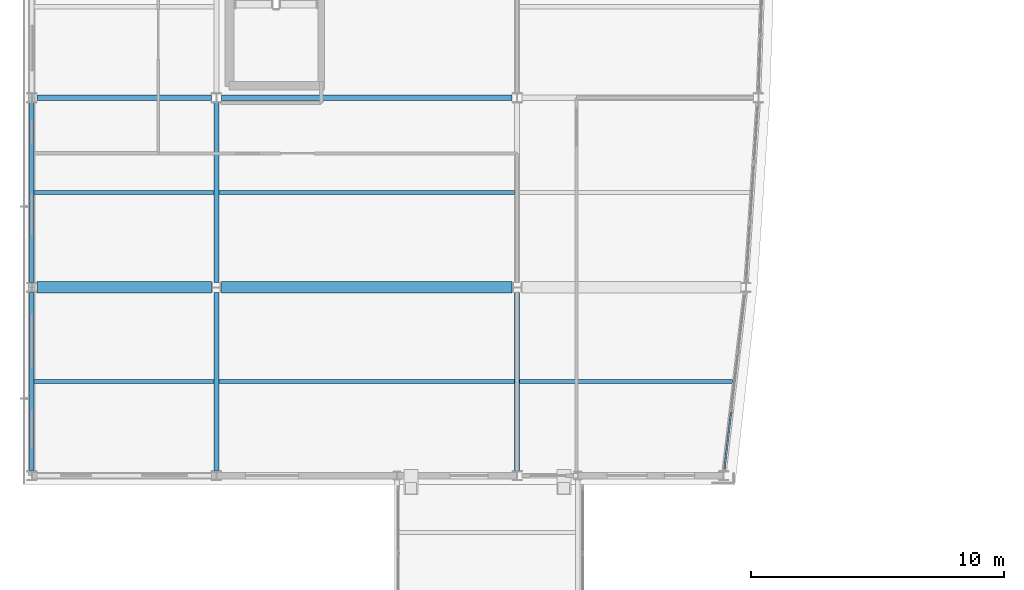
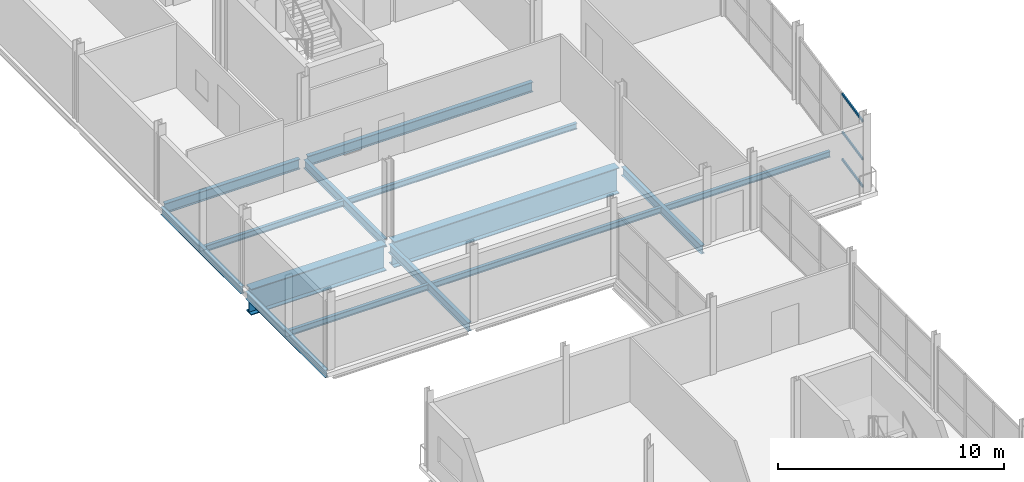
# One storey, part 22 of 60: 14 beams, 3 members, 1 element without a shape of its own.
"""IFC4 building model written with IfcOpenShell, lengths in metres."""

from ifc_helpers import new_model, si_unit, direction, frame, origin, origin_2d, place, context, subcontext, project, spatial, hollow_rectangle, i_section, extrude, material, layer, layer_set, material_profile, profile_set, type_object, element, aggregate, save


model = new_model("IFC4")

# Units and contexts
model_context = context("Model", 3, precision=1e-05, world=origin(), true_north=direction((0.0, 1.0)))
body_context = subcontext(model_context, "Body", "Model", "MODEL_VIEW")
ifc_project = project(units=[si_unit("LENGTHUNIT", "METRE"), si_unit("AREAUNIT", "SQUARE_METRE"), si_unit("VOLUMEUNIT", "CUBIC_METRE"), si_unit("PLANEANGLEUNIT", "RADIAN"), si_unit("MASSUNIT", "GRAM", prefix="KILO")], contexts=[model_context])

# Site, building, storey
site_placement = place(None, origin())
site = spatial("IfcSite", under=ifc_project, at=site_placement, CompositionType="ELEMENT")
building_placement = place(site_placement, origin())
building = spatial("IfcBuilding", under=site, at=building_placement, Name="Quillay Park Conservatory", CompositionType="ELEMENT")
storey_placement = place(building_placement, frame((0.0, 0.0, 9.89990234375)))
storey = spatial("IfcBuildingStorey", under=building, at=storey_placement, Name="L02", CompositionType="ELEMENT", Elevation=9.89990234375)

# Beams
ifc_material_1 = material(Name="Steel ASTM A992 Grade 50", Category="steel")
ifc_material_profile_1 = material_profile(ifc_material_1, i_section(OverallWidth=0.166015625, OverallDepth=0.31298828125, WebThickness=0.006591796875, FlangeThickness=0.01123046875, FilletRadius=0.010009765625, at=origin_2d()), Name="W310x45")
ifc_profile_set_1 = profile_set([ifc_material_profile_1], Name="Steel ASTM A992 Grade 50")
beam_type_1 = type_object("IfcBeamType", Name="COMPOSITE FLOOR JOIST W310 X45", PredefinedType="JOIST", material=ifc_profile_set_1)
beam_1_placement = place(storey_placement, frame((0.639892578125, 66.77490234375, -0.386474609375), z_axis=(1.0, 0.0, 0.0), x_axis=(0.0, 1.0, 0.0)))
element("IfcBeam", 1, at=beam_1_placement, inside=storey, type_object=beam_type_1, Name="L02 beam BM-J-0202", PredefinedType="JOIST", context=body_context, shape_type="SweptSolid", body=[
    extrude(i_section(OverallWidth=0.166015625, OverallDepth=0.31298828125, WebThickness=0.006591796875, FlangeThickness=0.01123046875, FilletRadius=0.010009765625, at=origin_2d()), origin(), (0.0, 0.0, 1.0), 7.114013671875),
])
beam_2_placement = place(storey_placement, frame((19.845947265625, 66.77490234375, -0.386474609375), z_axis=(1.0, 0.0, 0.0), x_axis=(0.0, 1.0, 0.0)))
element("IfcBeam", 2, at=beam_2_placement, inside=storey, type_object=beam_type_1, Name="L02 beam BM-J-0203", PredefinedType="JOIST", context=body_context, shape_type="SweptSolid", body=[
    extrude(i_section(OverallWidth=0.166015625, OverallDepth=0.31298828125, WebThickness=0.006591796875, FlangeThickness=0.01123046875, FilletRadius=0.010009765625, at=origin_2d()), origin(), (0.0, 0.0, 1.0), 8.426513671875),
])
beam_3_placement = place(storey_placement, frame((7.946044921875, 66.77490234375, -0.386474609375), z_axis=(1.0, 0.0, 0.0), x_axis=(0.0, 1.0, 0.0)))
element("IfcBeam", 3, at=beam_3_placement, inside=storey, type_object=beam_type_1, Name="L02 beam BM-J-0204", PredefinedType="JOIST", context=body_context, shape_type="SweptSolid", body=[
    extrude(i_section(OverallWidth=0.166015625, OverallDepth=0.31298828125, WebThickness=0.006591796875, FlangeThickness=0.01123046875, FilletRadius=0.010009765625, at=origin_2d()), origin(), (0.0, 0.0, 1.0), 11.7080078125),
])
beam_4_placement = place(storey_placement, frame((0.639892578125, 74.25, -0.386474609375), z_axis=(1.0, 0.0, 0.0), x_axis=(0.0, 1.0, 0.0)))
element("IfcBeam", 4, at=beam_4_placement, inside=storey, type_object=beam_type_1, Name="L02 beam BM-J-0209", PredefinedType="JOIST", context=body_context, shape_type="SweptSolid", body=[
    extrude(i_section(OverallWidth=0.166015625, OverallDepth=0.31298828125, WebThickness=0.006591796875, FlangeThickness=0.01123046875, FilletRadius=0.010009765625, at=origin_2d()), origin(), (0.0, 0.0, 1.0), 7.114013671875),
])
beam_5_placement = place(storey_placement, frame((7.946044921875, 74.25, -0.386474609375), z_axis=(1.0, 0.0, 0.0), x_axis=(0.0, 1.0, 0.0)))
element("IfcBeam", 5, at=beam_5_placement, inside=storey, type_object=beam_type_1, Name="L02 beam BM-J-0211", PredefinedType="JOIST", context=body_context, shape_type="SweptSolid", body=[
    extrude(i_section(OverallWidth=0.166015625, OverallDepth=0.31298828125, WebThickness=0.006591796875, FlangeThickness=0.01123046875, FilletRadius=0.010009765625, at=origin_2d()), origin(), (0.0, 0.0, 1.0), 11.7080078125),
])

# Curtain wall, members
ifc_material_2 = material(Name="Thermally Broken Anodised Aluminium 6063-T6", Category="aluminium")
ifc_layer = layer(ifc_material_2, 0.179931640625)
ifc_layer_set = layer_set([ifc_layer], Name="UNITISED CURTAIN WALL TOWER (Thermally Broken Anodised Aluminium 6063-T6)")
curtain_wall_type = type_object("IfcCurtainWallType", Name="UNITISED CURTAIN WALL TOWER", PredefinedType="USERDEFINED", material=ifc_layer_set)
curtain_wall_placement = place(storey_placement, origin())
curtain_wall = element("IfcCurtainWall", 6, at=curtain_wall_placement, inside=storey, type_object=curtain_wall_type, Name="L02 Unitised Curtain Wall 019", ObjectType="UNITISED CURTAIN WALL", PredefinedType="USERDEFINED")
ifc_material_3 = material(Name="Thermally Broken Anodised Aluminium 6063-T6", Category="aluminium")
ifc_material_profile_2 = material_profile(ifc_material_3, hollow_rectangle(XDim=0.070068359375, YDim=0.1298828125, WallThickness=0.003173828125, at=origin_2d()), Name="AL70x130x3.2")
ifc_profile_set_2 = profile_set([ifc_material_profile_2], Name="Thermally Broken Anodised Aluminium 6063-T6")
member_type = type_object("IfcMemberType", Name="CURTAIN WALL TRANSOM 70 X130", PredefinedType="USERDEFINED", material=ifc_profile_set_2)
member_1_placement = place(storey_placement, frame((28.220458984375, 65.564697265625, 0.03515625), z_axis=(-0.116672168054, -0.993170481439, 0.0), x_axis=(0.993170481439, -0.116672168054, 0.0)))
member_1 = element("IfcMember", 7, at=member_1_placement, type_object=member_type, Name="CW-T1 transom 3.1", ObjectType="TRANSOM", PredefinedType="USERDEFINED", context=body_context, shape_type="SweptSolid", body=[
    extrude(hollow_rectangle(XDim=0.070068359375, YDim=0.1298828125, WallThickness=0.003173828125, at=origin_2d()), origin(), (0.0, 0.0, 1.0), 2.261962890625),
])
member_2_placement = place(storey_placement, frame((28.220458984375, 65.564697265625, 1.51171875), z_axis=(-0.116672168054, -0.993170481439, 0.0), x_axis=(0.993170481439, -0.116672168054, 0.0)))
member_2 = element("IfcMember", 8, at=member_2_placement, type_object=member_type, Name="CW-T1 transom 3.2", ObjectType="TRANSOM", PredefinedType="USERDEFINED", context=body_context, shape_type="SweptSolid", body=[
    extrude(hollow_rectangle(XDim=0.070068359375, YDim=0.1298828125, WallThickness=0.003173828125, at=origin_2d()), origin(), (0.0, 0.0, 1.0), 2.261962890625),
])
member_3_placement = place(storey_placement, frame((28.220458984375, 65.564697265625, 3.564208984375), z_axis=(-0.116672168054, -0.993170481439, 0.0), x_axis=(0.993170481439, -0.116672168054, 0.0)))
member_3 = element("IfcMember", 9, at=member_3_placement, type_object=member_type, Name="CW-T1 transom 3.3", ObjectType="TRANSOM", PredefinedType="USERDEFINED", context=body_context, shape_type="SweptSolid", body=[
    extrude(hollow_rectangle(XDim=0.070068359375, YDim=0.1298828125, WallThickness=0.003173828125, at=origin_2d()), origin(), (0.0, 0.0, 1.0), 2.261962890625),
])
aggregate(curtain_wall, [member_1, member_2, member_3])

# Beams
ifc_material_4 = material(Name="Steel ASTM A992 Grade 50", Category="steel")
ifc_material_profile_3 = material_profile(ifc_material_4, i_section(OverallWidth=0.179931640625, OverallDepth=0.4130859375, WebThickness=0.009765625, FlangeThickness=0.01611328125, FilletRadius=0.011962890625, at=origin_2d()), Name="W410x74")
ifc_profile_set_3 = profile_set([ifc_material_profile_3], Name="Steel ASTM A992 Grade 50")
beam_type_2 = type_object("IfcBeamType", Name="PERIMETER SPANDREL BEAM W410 X74", PredefinedType="SPANDREL", material=ifc_profile_set_3)
beam_6_placement = place(storey_placement, frame((0.550048828125, 63.24658203125, -0.4365234375), z_axis=(0.0, 1.0, 0.0), x_axis=(-1.0, 0.0, 0.0)))
element("IfcBeam", 10, at=beam_6_placement, inside=storey, type_object=beam_type_2, Name="L02 beam BM-SPW-0198", PredefinedType="SPANDREL", context=body_context, shape_type="SweptSolid", body=[
    extrude(i_section(OverallWidth=0.179931640625, OverallDepth=0.4130859375, WebThickness=0.009765625, FlangeThickness=0.01611328125, FilletRadius=0.011962890625, at=origin_2d()), origin(), (0.0, 0.0, 1.0), 7.056884765625),
])
beam_7_placement = place(storey_placement, frame((0.550048828125, 70.696533203125, -0.4365234375), z_axis=(0.0, 1.0, 0.0), x_axis=(-1.0, 0.0, 0.0)))
element("IfcBeam", 11, at=beam_7_placement, inside=storey, type_object=beam_type_2, Name="L02 beam BM-SPW-0205", PredefinedType="SPANDREL", context=body_context, shape_type="SweptSolid", body=[
    extrude(i_section(OverallWidth=0.179931640625, OverallDepth=0.4130859375, WebThickness=0.009765625, FlangeThickness=0.01611328125, FilletRadius=0.011962890625, at=origin_2d()), origin(), (0.0, 0.0, 1.0), 7.10693359375),
])
ifc_material_5 = material(Name="Steel ASTM A992 Grade 50", Category="steel")
ifc_material_profile_4 = material_profile(ifc_material_5, i_section(OverallWidth=0.19189453125, OverallDepth=0.462890625, WebThickness=0.010498046875, FlangeThickness=0.017578125, FilletRadius=0.012939453125, at=origin_2d()), Name="W460x89")
ifc_profile_set_4 = profile_set([ifc_material_profile_4], Name="Steel ASTM A992 Grade 50")
beam_type_3 = type_object("IfcBeamType", Name="PRIMARY FLOOR GIRDER W460 X89", PredefinedType="BEAM", material=ifc_profile_set_4)
for number, where, z_axis, x_axis, name in (
    (12, (7.85009765625, 63.24658203125, -0.46142578125), (0.0, 1.0, 0.0), (-1.0, 0.0, 0.0), "L02 beam BM-GNS-0200"),
    (13, (19.75, 63.24658203125, -0.46142578125), (0.0, 1.0, 0.0), (-1.0, 0.0, 0.0), "L02 beam BM-GNS-0201"),
):
    element("IfcBeam", number, at=place(storey_placement, frame(where, z_axis=z_axis, x_axis=x_axis)), inside=storey, type_object=beam_type_3, Name=name, PredefinedType="BEAM", context=body_context, shape_type="SweptSolid", body=[
        extrude(i_section(OverallWidth=0.19189453125, OverallDepth=0.462890625, WebThickness=0.010498046875, FlangeThickness=0.017578125, FilletRadius=0.012939453125, at=origin_2d()), origin(), (0.0, 0.0, 1.0), 7.053955078125),
    ])
beam_8_placement = place(storey_placement, frame((7.85009765625, 70.699462890625, -0.46142578125), z_axis=(0.0, 1.0, 0.0), x_axis=(-1.0, 0.0, 0.0)))
element("IfcBeam", 14, at=beam_8_placement, inside=storey, type_object=beam_type_3, Name="L02 beam BM-GNS-0207", PredefinedType="BEAM", context=body_context, shape_type="SweptSolid", body=[
    extrude(i_section(OverallWidth=0.19189453125, OverallDepth=0.462890625, WebThickness=0.010498046875, FlangeThickness=0.017578125, FilletRadius=0.012939453125, at=origin_2d()), origin(), (0.0, 0.0, 1.0), 7.10400390625),
])
ifc_material_6 = material(Name="Steel ASTM A992 Grade 50", Category="steel")
ifc_material_profile_5 = material_profile(ifc_material_6, i_section(OverallWidth=0.2109375, OverallDepth=0.5390625, WebThickness=0.01171875, FlangeThickness=0.018798828125, FilletRadius=0.013916015625, at=origin_2d()), Name="W530x109")
ifc_profile_set_5 = profile_set([ifc_material_profile_5], Name="Steel ASTM A992 Grade 50")
beam_type_4 = type_object("IfcBeamType", Name="PRIMARY FLOOR GIRDER W530 X109", PredefinedType="BEAM", material=ifc_profile_set_5)
beam_9_placement = place(storey_placement, frame((0.74951171875, 78.0, -0.49951171875), z_axis=(1.0, 0.0, 0.0), x_axis=(0.0, 1.0, 0.0)))
element("IfcBeam", 15, at=beam_9_placement, inside=storey, type_object=beam_type_4, Name="L02 beam BM-G-0182", PredefinedType="BEAM", context=body_context, shape_type="SweptSolid", body=[
    extrude(i_section(OverallWidth=0.2109375, OverallDepth=0.5390625, WebThickness=0.01171875, FlangeThickness=0.018798828125, FilletRadius=0.013916015625, at=origin_2d()), origin(), (0.0, 0.0, 1.0), 6.90087890625),
])
beam_10_placement = place(storey_placement, frame((8.049560546875, 78.0, -0.49951171875), z_axis=(1.0, 0.0, 0.0), x_axis=(0.0, 1.0, 0.0)))
element("IfcBeam", 16, at=beam_10_placement, inside=storey, type_object=beam_type_4, Name="L02 beam BM-G-0183", PredefinedType="BEAM", context=body_context, shape_type="SweptSolid", body=[
    extrude(i_section(OverallWidth=0.2109375, OverallDepth=0.5390625, WebThickness=0.01171875, FlangeThickness=0.018798828125, FilletRadius=0.013916015625, at=origin_2d()), origin(), (0.0, 0.0, 1.0), 11.5009765625),
])
ifc_material_7 = material(Name="Steel ASTM A572 Grade 50", Category="steel")
ifc_material_profile_6 = material_profile(ifc_material_7, i_section(OverallWidth=0.449951171875, OverallDepth=1.39990234375, WebThickness=0.02392578125, FlangeThickness=0.0439453125, at=origin_2d()), Name="IG1400x450")
ifc_profile_set_6 = profile_set([ifc_material_profile_6], Name="Steel ASTM A572 Grade 50")
beam_type_5 = type_object("IfcBeamType", Name="TRANSFER PLATE GIRDER IG1400", PredefinedType="USERDEFINED", material=ifc_profile_set_6)
beam_11_placement = place(storey_placement, frame((0.74951171875, 70.5, -0.929931640625), z_axis=(1.0, 0.0, 0.0), x_axis=(0.0, 1.0, 0.0)))
element("IfcBeam", 17, at=beam_11_placement, inside=storey, type_object=beam_type_5, Name="L02 beam BM-TG1-0179", ObjectType="TRANSFER PLATE GIRDER", PredefinedType="USERDEFINED", context=body_context, shape_type="SweptSolid", body=[
    extrude(i_section(OverallWidth=0.449951171875, OverallDepth=1.39990234375, WebThickness=0.02392578125, FlangeThickness=0.0439453125, at=origin_2d()), origin(), (0.0, 0.0, 1.0), 6.904052734375),
])
beam_12_placement = place(storey_placement, frame((8.04638671875, 70.5, -0.929931640625), z_axis=(1.0, 0.0, 0.0), x_axis=(0.0, 1.0, 0.0)))
element("IfcBeam", 18, at=beam_12_placement, inside=storey, type_object=beam_type_5, Name="L02 beam BM-TG1-0180", ObjectType="TRANSFER PLATE GIRDER", PredefinedType="USERDEFINED", context=body_context, shape_type="SweptSolid", body=[
    extrude(i_section(OverallWidth=0.449951171875, OverallDepth=1.39990234375, WebThickness=0.02392578125, FlangeThickness=0.0439453125, at=origin_2d()), origin(), (0.0, 0.0, 1.0), 11.507080078125),
])

save(model, "model.ifc")
